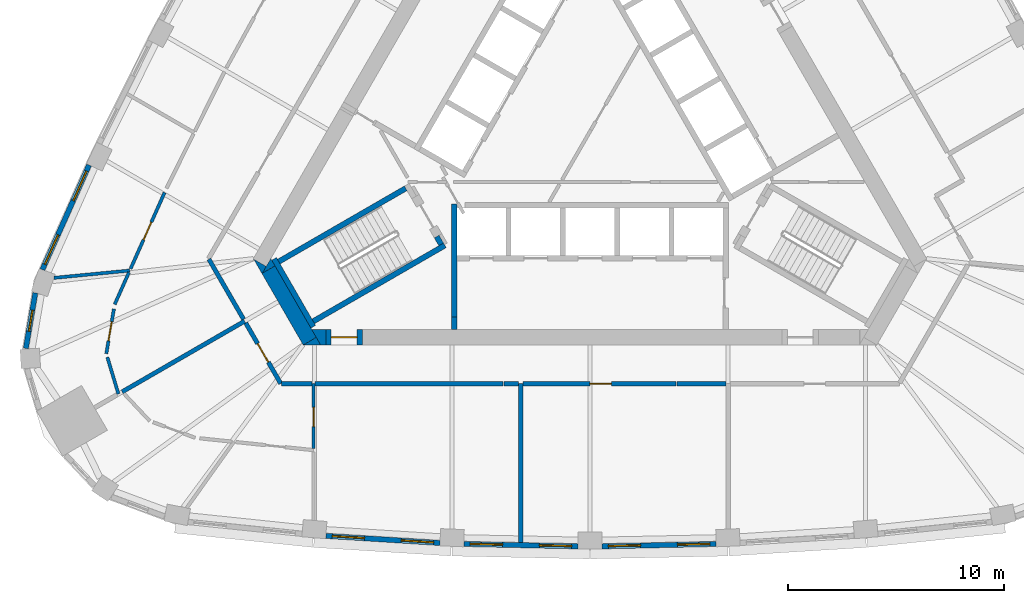
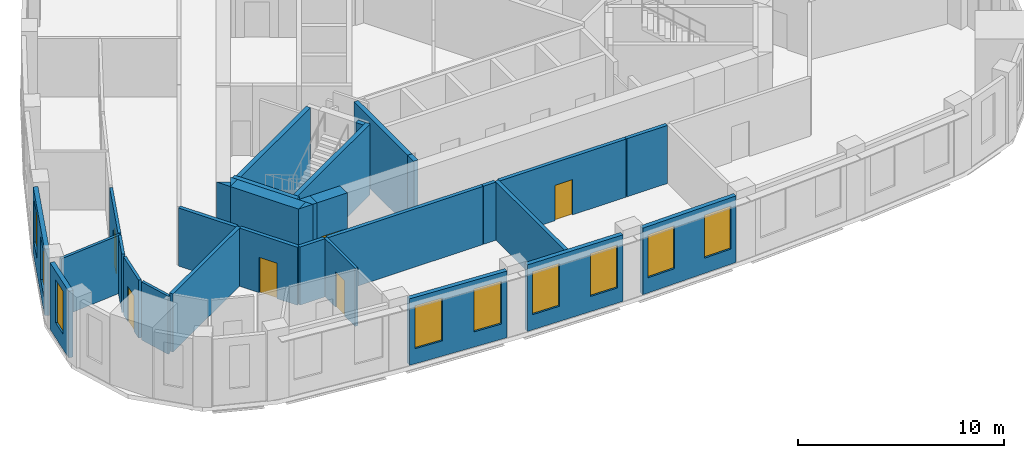
# One storey, part 3 of 10: 32 walls, 9 windows, 6 doors, 15 openings.
"""IFC4 building model written with IfcOpenShell, lengths in metres."""

from ifc_helpers import new_model, si_unit, direction, frame, frame_2d, origin, place, context, subcontext, project, spatial, polyline, rectangle, outline, extrude, material, layer, layer_set, type_object, element, fill, save


model = new_model("IFC4")

# Units and contexts
model_context = context("Model", 3, precision=1e-05, world=origin(), true_north=direction((0.0, 1.0)))
body_context = subcontext(model_context, "Body", "Model", "MODEL_VIEW")
ifc_project = project(units=[si_unit("LENGTHUNIT", "METRE"), si_unit("AREAUNIT", "SQUARE_METRE"), si_unit("VOLUMEUNIT", "CUBIC_METRE"), si_unit("PLANEANGLEUNIT", "RADIAN"), si_unit("MASSUNIT", "GRAM", prefix="KILO")], contexts=[model_context])

# Site, building, storey
site_placement = place(None, origin())
site = spatial("IfcSite", under=ifc_project, at=site_placement, CompositionType="ELEMENT")
building_placement = place(site_placement, origin())
building = spatial("IfcBuilding", under=site, at=building_placement, Name="Mestral Congress Tower", CompositionType="ELEMENT")
storey_placement = place(building_placement, frame((0.0, 0.0, 214.199951171875)))
storey = spatial("IfcBuildingStorey", under=building, at=storey_placement, Name="L50", CompositionType="ELEMENT", Elevation=214.199951171875)

# Walls
ifc_material_1 = material(Name="Concrete C60/75", Category="concrete")
ifc_layer_1 = layer(ifc_material_1, 0.699951171875)
ifc_layer_set_1 = layer_set([ifc_layer_1], Name="Concrete C60/75")
wall_type_1 = type_object("IfcWallType", Name="Core wall RC 700", PredefinedType="SOLIDWALL", material=ifc_layer_set_1)
placement = place(storey_placement, origin())
element("IfcWall", 1, at=placement, inside=storey, type_object=wall_type_1, Name="L50 core wall", PredefinedType="SOLIDWALL", context=body_context, shape_type="SweptSolid", body=[
    extrude(outline(polyline([(-15.213134765625, -7.050048828125), (-15.60107421875, -6.3779296875), (-15.019287109375, -6.714111328125), (-15.213134765625, -7.050048828125)])), origin(), (0.0, 0.0, 1.0), 4.199951171875),
])
wall_2_placement = place(storey_placement, frame((-14.9169921875, -6.86279296875, 0.0), z_axis=(0.0, 0.0, 1.0), x_axis=(0.499972675833, -0.866041178825, 0.0)))
element("IfcWall", 2, at=wall_2_placement, inside=storey, type_object=wall_type_1, Name="L50 core wall", PredefinedType="SOLIDWALL", context=body_context, shape_type="SweptSolid", body=[
    extrude(rectangle(XDim=3.828857421875, YDim=0.699951171875, at=frame_2d((1.91455078125, 0.0))), origin(), (0.0, 0.0, 1.0), 4.199951171875),
])
element("IfcWall", 3, at=placement, inside=storey, type_object=wall_type_1, Name="L50 core wall", PredefinedType="SOLIDWALL", context=body_context, shape_type="SweptSolid", body=[
    extrude(outline(polyline([(-14.80908203125, -6.35009765625), (-14.614990234375, -6.68603515625), (-15.197265625, -7.022216796875), (-14.80908203125, -6.35009765625)])), origin(), (0.0, 0.0, 1.0), 4.199951171875),
])
element("IfcWall", 4, at=placement, inside=storey, type_object=wall_type_1, Name="L50 core wall", PredefinedType="SOLIDWALL", context=body_context, shape_type="SweptSolid", body=[
    extrude(outline(polyline([(-12.49951171875, -10.35009765625), (-13.295654296875, -10.35009765625), (-12.698486328125, -10.00537109375), (-12.49951171875, -10.35009765625)])), origin(), (0.0, 0.0, 1.0), 4.199951171875),
])
element("IfcWall", 5, at=placement, inside=storey, type_object=wall_type_1, Name="L50 core wall", PredefinedType="SOLIDWALL", context=body_context, shape_type="SweptSolid", body=[
    extrude(outline(polyline([(-12.256591796875, -10.35009765625), (-12.49951171875, -10.35009765625), (-12.90380859375, -9.64990234375), (-12.256591796875, -9.64990234375), (-12.256591796875, -10.35009765625)])), origin(), (0.0, 0.0, 1.0), 4.199951171875),
])

# Wall, opening, door
wall_6_placement = place(storey_placement, frame((-10.556396484375, -10.0, 0.0), z_axis=(0.0, 0.0, 1.0), x_axis=(-1.0, 0.0, 0.0)))
wall_6 = element("IfcWall", 6, at=wall_6_placement, inside=storey, type_object=wall_type_1, Name="L50 door wall", PredefinedType="SOLIDWALL", context=body_context, shape_type="SweptSolid", body=[
    extrude(rectangle(XDim=1.699951171875, YDim=0.699951171875, at=frame_2d((0.85009765625, 0.0))), origin(), (0.0, 0.0, 1.0), 4.199951171875),
])
opening_1_placement = place(wall_6_placement, frame((0.25, 0.0, 0.0)))
opening_1 = element("IfcOpeningElement", 7, at=opening_1_placement, cuts=wall_6, Name="Opening XD3", PredefinedType="OPENING", context=body_context, shape_type="SweptSolid", body=[
    extrude(rectangle(XDim=1.199951171875, YDim=2.10009765625, at=frame_2d((0.60009765625, 1.050048828125))), frame((0.0, 0.35986328125, 0.0), z_axis=(0.0, -1.0, 0.0), x_axis=(1.0, 0.0, 0.0)), (0.0, 0.0, 1.0), 0.719970703125),
])
ifc_material_2 = material(Name="Fire-rated steel door set", Category="steel")
door_type_1 = type_object("IfcDoorType", Name="Core door XD 1200x2100", OperationType="SINGLE_SWING_LEFT", PredefinedType="DOOR", material=ifc_material_2)
door_1_placement = place(opening_1_placement, origin())
door_1 = element("IfcDoor", 8, at=door_1_placement, inside=storey, type_object=door_type_1, Name="Door XD3", OperationType="SINGLE_SWING_LEFT", OverallHeight=2.10009765625, OverallWidth=1.199951171875, PredefinedType="DOOR", context=body_context, shape_type="SweptSolid", body=[
    extrude(rectangle(XDim=1.199951171875, YDim=2.10009765625, at=frame_2d((0.60009765625, 1.050048828125))), frame((0.0, 0.02490234375, 0.0), z_axis=(0.0, -1.0, 0.0), x_axis=(1.0, 0.0, 0.0)), (0.0, 0.0, 1.0), 0.050048828125),
])
fill(opening_1, door_1)

# Wall, openings, windows
ifc_material_3 = material(Name="Precast concrete C40/50 with limestone facing", Category="masonry")
ifc_layer_2 = layer(ifc_material_3, 0.239990234375)
ifc_layer_set_2 = layer_set([ifc_layer_2], Name="Precast concrete C40/50 with limestone facing")
wall_type_2 = type_object("IfcWallType", Name="Facade stone wall 240", PredefinedType="SOLIDWALL", material=ifc_layer_set_2)
wall_7_placement = place(storey_placement, frame((-12.253173828125, -19.21337890625, 0.0), z_axis=(0.0, 0.0, 1.0), x_axis=(0.9980633213, -0.062206162685, 0.0)))
wall_7 = element("IfcWall", 9, at=wall_7_placement, inside=storey, type_object=wall_type_2, Name="Facade wall F0-01", PredefinedType="SOLIDWALL", context=body_context, shape_type="SweptSolid", body=[
    extrude(rectangle(XDim=5.29833984375, YDim=0.239990234375, at=frame_2d((2.649169921875, 0.0))), origin(), (0.0, 0.0, 1.0), 3.949951171875),
])
opening_2_placement = place(wall_7_placement, frame((0.29443359375, 0.0, 0.89990234375)))
opening_2 = element("IfcOpeningElement", 10, at=opening_2_placement, cuts=wall_7, Name="Opening W4", PredefinedType="OPENING", context=body_context, shape_type="SweptSolid", body=[
    extrude(rectangle(XDim=1.5, YDim=2.550048828125, at=frame_2d((0.75, 1.27490234375))), frame((0.0, 0.1298828125, 0.0), z_axis=(0.0, -1.0, 0.0), x_axis=(1.0, 0.0, 0.0)), (0.0, 0.0, 1.0), 0.260009765625),
])
opening_3_placement = place(wall_7_placement, frame((3.503662109375, 0.0, 0.89990234375)))
opening_3 = element("IfcOpeningElement", 11, at=opening_3_placement, cuts=wall_7, Name="Opening W4", PredefinedType="OPENING", context=body_context, shape_type="SweptSolid", body=[
    extrude(rectangle(XDim=1.5, YDim=2.550048828125, at=frame_2d((0.75, 1.27490234375))), frame((0.0, 0.1298828125, 0.0), z_axis=(0.0, -1.0, 0.0), x_axis=(1.0, 0.0, 0.0)), (0.0, 0.0, 1.0), 0.260009765625),
])
ifc_material_4 = material(Name="Clear low-emissivity double glazing", Category="glass")
window_type_1 = type_object("IfcWindowType", Name="Facade punched window 1500 x 2550 sill 900", PartitioningType="SINGLE_PANEL", PredefinedType="WINDOW", material=ifc_material_4)
window_1_placement = place(opening_2_placement, origin())
window_1 = element("IfcWindow", 12, at=window_1_placement, inside=storey, type_object=window_type_1, Name="Window F0-01a", OverallHeight=2.550048828125, OverallWidth=1.5, PartitioningType="SINGLE_PANEL", PredefinedType="WINDOW", context=body_context, shape_type="SweptSolid", body=[
    extrude(rectangle(XDim=1.5, YDim=2.550048828125, at=frame_2d((0.75, 1.27490234375))), frame((0.0, 0.0400390625, 0.0), z_axis=(0.0, -1.0, 0.0), x_axis=(1.0, 0.0, 0.0)), (0.0, 0.0, 1.0), 0.06005859375),
])
fill(opening_2, window_1)
window_2_placement = place(opening_3_placement, origin())
window_2 = element("IfcWindow", 13, at=window_2_placement, inside=storey, type_object=window_type_1, Name="Window F0-01b", OverallHeight=2.550048828125, OverallWidth=1.5, PartitioningType="SINGLE_PANEL", PredefinedType="WINDOW", context=body_context, shape_type="SweptSolid", body=[
    extrude(rectangle(XDim=1.5, YDim=2.550048828125, at=frame_2d((0.75, 1.27490234375))), frame((0.0, 0.0400390625, 0.0), z_axis=(0.0, -1.0, 0.0), x_axis=(1.0, 0.0, 0.0)), (0.0, 0.0, 1.0), 0.06005859375),
])
fill(opening_3, window_2)

wall_8_placement = place(storey_placement, frame((-5.853515625, -19.589111328125, 0.0), z_axis=(0.0, 0.0, 1.0), x_axis=(0.999784035184, -0.020781794712, 0.0)))
wall_8 = element("IfcWall", 14, at=wall_8_placement, inside=storey, type_object=wall_type_2, Name="Facade wall F0-02", PredefinedType="SOLIDWALL", context=body_context, shape_type="SweptSolid", body=[
    extrude(rectangle(XDim=5.29833984375, YDim=0.239990234375, at=frame_2d((2.649169921875, 0.0))), origin(), (0.0, 0.0, 1.0), 3.949951171875),
])
opening_4_placement = place(wall_8_placement, frame((0.29443359375, 0.0, 0.89990234375)))
opening_4 = element("IfcOpeningElement", 15, at=opening_4_placement, cuts=wall_8, Name="Opening W4", PredefinedType="OPENING", context=body_context, shape_type="SweptSolid", body=[
    extrude(rectangle(XDim=1.5, YDim=2.550048828125, at=frame_2d((0.75, 1.27490234375))), frame((0.0, 0.1298828125, 0.0), z_axis=(0.0, -1.0, 0.0), x_axis=(1.0, 0.0, 0.0)), (0.0, 0.0, 1.0), 0.260009765625),
])
opening_5_placement = place(wall_8_placement, frame((3.503662109375, 0.0, 0.89990234375)))
opening_5 = element("IfcOpeningElement", 16, at=opening_5_placement, cuts=wall_8, Name="Opening W4", PredefinedType="OPENING", context=body_context, shape_type="SweptSolid", body=[
    extrude(rectangle(XDim=1.5, YDim=2.550048828125, at=frame_2d((0.75, 1.27490234375))), frame((0.0, 0.1298828125, 0.0), z_axis=(0.0, -1.0, 0.0), x_axis=(1.0, 0.0, 0.0)), (0.0, 0.0, 1.0), 0.260009765625),
])
window_3_placement = place(opening_4_placement, origin())
window_3 = element("IfcWindow", 17, at=window_3_placement, inside=storey, type_object=window_type_1, Name="Window F0-02a", OverallHeight=2.550048828125, OverallWidth=1.5, PartitioningType="SINGLE_PANEL", PredefinedType="WINDOW", context=body_context, shape_type="SweptSolid", body=[
    extrude(rectangle(XDim=1.5, YDim=2.550048828125, at=frame_2d((0.75, 1.27490234375))), frame((0.0, 0.0400390625, 0.0), z_axis=(0.0, -1.0, 0.0), x_axis=(1.0, 0.0, 0.0)), (0.0, 0.0, 1.0), 0.06005859375),
])
fill(opening_4, window_3)
window_4_placement = place(opening_5_placement, origin())
window_4 = element("IfcWindow", 18, at=window_4_placement, inside=storey, type_object=window_type_1, Name="Window F0-02b", OverallHeight=2.550048828125, OverallWidth=1.5, PartitioningType="SINGLE_PANEL", PredefinedType="WINDOW", context=body_context, shape_type="SweptSolid", body=[
    extrude(rectangle(XDim=1.5, YDim=2.550048828125, at=frame_2d((0.75, 1.27490234375))), frame((0.0, 0.0400390625, 0.0), z_axis=(0.0, -1.0, 0.0), x_axis=(1.0, 0.0, 0.0)), (0.0, 0.0, 1.0), 0.06005859375),
])
fill(opening_5, window_4)

wall_9_placement = place(storey_placement, frame((0.556396484375, -19.69921875, 0.0), z_axis=(0.0, 0.0, 1.0), x_axis=(0.999784035184, 0.020781794712, 0.0)))
wall_9 = element("IfcWall", 19, at=wall_9_placement, inside=storey, type_object=wall_type_2, Name="Facade wall F0-03", PredefinedType="SOLIDWALL", context=body_context, shape_type="SweptSolid", body=[
    extrude(rectangle(XDim=5.29833984375, YDim=0.239990234375, at=frame_2d((2.649169921875, 0.0))), origin(), (0.0, 0.0, 1.0), 3.949951171875),
])
opening_6_placement = place(wall_9_placement, frame((0.29443359375, 0.0, 0.89990234375)))
opening_6 = element("IfcOpeningElement", 20, at=opening_6_placement, cuts=wall_9, Name="Opening W4", PredefinedType="OPENING", context=body_context, shape_type="SweptSolid", body=[
    extrude(rectangle(XDim=1.5, YDim=2.550048828125, at=frame_2d((0.75, 1.27490234375))), frame((0.0, 0.1298828125, 0.0), z_axis=(0.0, -1.0, 0.0), x_axis=(1.0, 0.0, 0.0)), (0.0, 0.0, 1.0), 0.260009765625),
])
opening_7_placement = place(wall_9_placement, frame((3.503662109375, 0.0, 0.89990234375)))
opening_7 = element("IfcOpeningElement", 21, at=opening_7_placement, cuts=wall_9, Name="Opening W4", PredefinedType="OPENING", context=body_context, shape_type="SweptSolid", body=[
    extrude(rectangle(XDim=1.5, YDim=2.550048828125, at=frame_2d((0.75, 1.27490234375))), frame((0.0, 0.1298828125, 0.0), z_axis=(0.0, -1.0, 0.0), x_axis=(1.0, 0.0, 0.0)), (0.0, 0.0, 1.0), 0.260009765625),
])
window_5_placement = place(opening_6_placement, origin())
window_5 = element("IfcWindow", 22, at=window_5_placement, inside=storey, type_object=window_type_1, Name="Window F0-03a", OverallHeight=2.550048828125, OverallWidth=1.5, PartitioningType="SINGLE_PANEL", PredefinedType="WINDOW", context=body_context, shape_type="SweptSolid", body=[
    extrude(rectangle(XDim=1.5, YDim=2.550048828125, at=frame_2d((0.75, 1.27490234375))), frame((0.0, 0.0400390625, 0.0), z_axis=(0.0, -1.0, 0.0), x_axis=(1.0, 0.0, 0.0)), (0.0, 0.0, 1.0), 0.06005859375),
])
fill(opening_6, window_5)
window_6_placement = place(opening_7_placement, origin())
window_6 = element("IfcWindow", 23, at=window_6_placement, inside=storey, type_object=window_type_1, Name="Window F0-03b", OverallHeight=2.550048828125, OverallWidth=1.5, PartitioningType="SINGLE_PANEL", PredefinedType="WINDOW", context=body_context, shape_type="SweptSolid", body=[
    extrude(rectangle(XDim=1.5, YDim=2.550048828125, at=frame_2d((0.75, 1.27490234375))), frame((0.0, 0.0400390625, 0.0), z_axis=(0.0, -1.0, 0.0), x_axis=(1.0, 0.0, 0.0)), (0.0, 0.0, 1.0), 0.06005859375),
])
fill(opening_7, window_6)

wall_10_placement = place(storey_placement, frame((-23.240478515625, -2.01123046875, 0.0), z_axis=(0.0, 0.0, 1.0), x_axis=(-0.407579651789, -0.913169659728, 0.0)))
wall_10 = element("IfcWall", 24, at=wall_10_placement, inside=storey, type_object=wall_type_2, Name="Facade wall F2-05", PredefinedType="SOLIDWALL", context=body_context, shape_type="SweptSolid", body=[
    extrude(rectangle(XDim=5.310791015625, YDim=0.239990234375, at=frame_2d((2.6552734375, 0.0))), origin(), (0.0, 0.0, 1.0), 3.949951171875),
])
opening_8_placement = place(wall_10_placement, frame((0.306396484375, 0.0, 0.89990234375)))
opening_8 = element("IfcOpeningElement", 25, at=opening_8_placement, cuts=wall_10, Name="Opening W4", PredefinedType="OPENING", context=body_context, shape_type="SweptSolid", body=[
    extrude(rectangle(XDim=1.5, YDim=2.550048828125, at=frame_2d((0.75, 1.27490234375))), frame((0.0, 0.1298828125, 0.0), z_axis=(0.0, -1.0, 0.0), x_axis=(1.0, 0.0, 0.0)), (0.0, 0.0, 1.0), 0.260009765625),
])
opening_9_placement = place(wall_10_placement, frame((3.539306640625, 0.0, 0.89990234375)))
opening_9 = element("IfcOpeningElement", 26, at=opening_9_placement, cuts=wall_10, Name="Opening W4", PredefinedType="OPENING", context=body_context, shape_type="SweptSolid", body=[
    extrude(rectangle(XDim=1.5, YDim=2.550048828125, at=frame_2d((0.75, 1.27490234375))), frame((0.0, 0.1298828125, 0.0), z_axis=(0.0, -1.0, 0.0), x_axis=(1.0, 0.0, 0.0)), (0.0, 0.0, 1.0), 0.260009765625),
])
window_7_placement = place(opening_8_placement, origin())
window_7 = element("IfcWindow", 27, at=window_7_placement, inside=storey, type_object=window_type_1, Name="Window F2-05a", OverallHeight=2.550048828125, OverallWidth=1.5, PartitioningType="SINGLE_PANEL", PredefinedType="WINDOW", context=body_context, shape_type="SweptSolid", body=[
    extrude(rectangle(XDim=1.5, YDim=2.550048828125, at=frame_2d((0.75, 1.27490234375))), frame((0.0, 0.0400390625, 0.0), z_axis=(0.0, -1.0, 0.0), x_axis=(1.0, 0.0, 0.0)), (0.0, 0.0, 1.0), 0.06005859375),
])
fill(opening_8, window_7)
window_8_placement = place(opening_9_placement, origin())
window_8 = element("IfcWindow", 28, at=window_8_placement, inside=storey, type_object=window_type_1, Name="Window F2-05b", OverallHeight=2.550048828125, OverallWidth=1.5, PartitioningType="SINGLE_PANEL", PredefinedType="WINDOW", context=body_context, shape_type="SweptSolid", body=[
    extrude(rectangle(XDim=1.5, YDim=2.550048828125, at=frame_2d((0.75, 1.27490234375))), frame((0.0, 0.0400390625, 0.0), z_axis=(0.0, -1.0, 0.0), x_axis=(1.0, 0.0, 0.0)), (0.0, 0.0, 1.0), 0.06005859375),
])
fill(opening_9, window_8)

# Wall, opening, window
wall_11_placement = place(storey_placement, frame((-25.734130859375, -7.94482421875, 0.0), z_axis=(0.0, 0.0, 1.0), x_axis=(-0.167660055546, -0.985844869021, 0.0)))
wall_11 = element("IfcWall", 29, at=wall_11_placement, inside=storey, type_object=wall_type_2, Name="Facade wall K2-0", PredefinedType="SOLIDWALL", context=body_context, shape_type="SweptSolid", body=[
    extrude(rectangle(XDim=2.609375, YDim=0.239990234375, at=frame_2d((1.3046875, 0.0))), origin(), (0.0, 0.0, 1.0), 3.949951171875),
])
opening_10_placement = place(wall_11_placement, frame((0.8046875, 0.0, 0.89990234375)))
opening_10 = element("IfcOpeningElement", 30, at=opening_10_placement, cuts=wall_11, Name="Opening W5", PredefinedType="OPENING", context=body_context, shape_type="SweptSolid", body=[
    extrude(rectangle(XDim=1.0, YDim=2.550048828125, at=frame_2d((0.5, 1.27490234375))), frame((0.0, 0.1298828125, 0.0), z_axis=(0.0, -1.0, 0.0), x_axis=(1.0, 0.0, 0.0)), (0.0, 0.0, 1.0), 0.260009765625),
])
window_type_2 = type_object("IfcWindowType", Name="Facade punched window 1000 x 2550 sill 900", PartitioningType="SINGLE_PANEL", PredefinedType="WINDOW", material=ifc_material_4)
window_9_placement = place(opening_10_placement, origin())
window_9 = element("IfcWindow", 31, at=window_9_placement, inside=storey, type_object=window_type_2, Name="Window K2-0", OverallHeight=2.550048828125, OverallWidth=1.0, PartitioningType="SINGLE_PANEL", PredefinedType="WINDOW", context=body_context, shape_type="SweptSolid", body=[
    extrude(rectangle(XDim=1.0, YDim=2.550048828125, at=frame_2d((0.5, 1.27490234375))), frame((0.0, 0.0400390625, 0.0), z_axis=(0.0, -1.0, 0.0), x_axis=(1.0, 0.0, 0.0)), (0.0, 0.0, 1.0), 0.06005859375),
])
fill(opening_10, window_9)

# Wall
ifc_material_5 = material(Name="Plasterboard partition on steel studs", Category="steel")
ifc_layer_3 = layer(ifc_material_5, 0.14990234375)
ifc_layer_set_3 = layer_set([ifc_layer_3], Name="Plasterboard partition on steel studs")
wall_type_3 = type_object("IfcWallType", Name="Office partition 150", PredefinedType="PARTITIONING", material=ifc_layer_set_3)
wall_12_placement = place(storey_placement, frame((-21.350830078125, -6.904296875, 0.0), z_axis=(0.0, 0.0, 1.0), x_axis=(-0.995356631468, -0.096255785242, 0.0)))
element("IfcWall", 32, at=wall_12_placement, inside=storey, type_object=wall_type_3, Name="Partition", PredefinedType="PARTITIONING", context=body_context, shape_type="SweptSolid", body=[
    extrude(rectangle(XDim=3.53564453125, YDim=0.14990234375, at=frame_2d((1.767822265625, 0.0))), origin(), (0.0, 0.0, 1.0), 3.449951171875),
])

# Wall, opening, door
wall_13_placement = place(storey_placement, frame((-21.315673828125, -6.82568359375, 0.0), z_axis=(0.0, 0.0, 1.0), x_axis=(0.407639588163, 0.913142905663, 0.0)))
wall_13 = element("IfcWall", 33, at=wall_13_placement, inside=storey, type_object=wall_type_3, Name="Partition", PredefinedType="PARTITIONING", context=body_context, shape_type="SweptSolid", body=[
    extrude(rectangle(XDim=3.876708984375, YDim=0.14990234375, at=frame_2d((1.9384765625, 0.0))), origin(), (0.0, 0.0, 1.0), 3.449951171875),
])
opening_11_placement = place(wall_13_placement, frame((1.4765625, 0.0, 0.0)))
opening_11 = element("IfcOpeningElement", 34, at=opening_11_placement, cuts=wall_13, Name="Opening O07-014", PredefinedType="OPENING", context=body_context, shape_type="SweptSolid", body=[
    extrude(rectangle(XDim=0.89990234375, YDim=2.10009765625, at=frame_2d((0.449951171875, 1.050048828125))), frame((0.0, 0.0849609375, 0.0), z_axis=(0.0, -1.0, 0.0), x_axis=(1.0, 0.0, 0.0)), (0.0, 0.0, 1.0), 0.169921875),
])
ifc_material_6 = material(Name="Timber door set", Category="wood")
door_type_2 = type_object("IfcDoorType", Name="Office door 900x2100", OperationType="SINGLE_SWING_LEFT", PredefinedType="DOOR", material=ifc_material_6)
door_2_placement = place(opening_11_placement, origin())
door_2 = element("IfcDoor", 35, at=door_2_placement, inside=storey, type_object=door_type_2, Name="Door O07-014", OperationType="SINGLE_SWING_LEFT", OverallHeight=2.10009765625, OverallWidth=0.89990234375, PredefinedType="DOOR", context=body_context, shape_type="SweptSolid", body=[
    extrude(rectangle(XDim=0.89990234375, YDim=2.10009765625, at=frame_2d((0.449951171875, 1.050048828125))), frame((0.0, 0.02490234375, 0.0), z_axis=(0.0, -1.0, 0.0), x_axis=(1.0, 0.0, 0.0)), (0.0, 0.0, 1.0), 0.050048828125),
])
fill(opening_11, door_2)

# Wall
wall_14_placement = place(storey_placement, frame((-21.385986328125, -6.983154296875, 0.0), z_axis=(0.0, 0.0, 1.0), x_axis=(-0.407597309494, -0.91316177827, 0.0)))
element("IfcWall", 36, at=wall_14_placement, inside=storey, type_object=wall_type_3, Name="Partition", PredefinedType="PARTITIONING", context=body_context, shape_type="SweptSolid", body=[
    extrude(rectangle(XDim=1.6298828125, YDim=0.14990234375, at=frame_2d((0.81494140625, 0.0))), origin(), (0.0, 0.0, 1.0), 3.449951171875),
])

# Wall, opening, door
wall_15_placement = place(storey_placement, frame((-22.43994140625, -10.7626953125, 0.0), z_axis=(0.0, 0.0, 1.0), x_axis=(0.167682096872, 0.985841120257, 0.0)))
wall_15 = element("IfcWall", 37, at=wall_15_placement, inside=storey, type_object=wall_type_3, Name="Partition", PredefinedType="PARTITIONING", context=body_context, shape_type="SweptSolid", body=[
    extrude(rectangle(XDim=2.109619140625, YDim=0.14990234375, at=frame_2d((1.0546875, 0.0))), origin(), (0.0, 0.0, 1.0), 3.449951171875),
])
opening_12_placement = place(wall_15_placement, frame((0.609619140625, 0.0, 0.0)))
opening_12 = element("IfcOpeningElement", 38, at=opening_12_placement, cuts=wall_15, Name="Opening O07-015", PredefinedType="OPENING", context=body_context, shape_type="SweptSolid", body=[
    extrude(rectangle(XDim=0.89990234375, YDim=2.10009765625, at=frame_2d((0.449951171875, 1.050048828125))), frame((0.0, 0.0849609375, 0.0), z_axis=(0.0, -1.0, 0.0), x_axis=(1.0, 0.0, 0.0)), (0.0, 0.0, 1.0), 0.169921875),
])
door_3_placement = place(opening_12_placement, origin())
door_3 = element("IfcDoor", 39, at=door_3_placement, inside=storey, type_object=door_type_2, Name="Door O07-015", OperationType="SINGLE_SWING_RIGHT", OverallHeight=2.10009765625, OverallWidth=0.89990234375, PredefinedType="DOOR", context=body_context, shape_type="SweptSolid", body=[
    extrude(rectangle(XDim=0.89990234375, YDim=2.10009765625, at=frame_2d((0.449951171875, 1.050048828125))), frame((0.0, 0.02490234375, 0.0), z_axis=(0.0, -1.0, 0.0), x_axis=(1.0, 0.0, 0.0)), (0.0, 0.0, 1.0), 0.050048828125),
])
fill(opening_12, door_3)

# Wall
wall_16_placement = place(storey_placement, frame((-22.39111328125, -10.924072265625, 0.0), z_axis=(0.0, 0.0, 1.0), x_axis=(0.288642134652, -0.957437056993, 0.0)))
element("IfcWall", 40, at=wall_16_placement, inside=storey, type_object=wall_type_3, Name="Partition", PredefinedType="PARTITIONING", context=body_context, shape_type="SweptSolid", body=[
    extrude(rectangle(XDim=1.7822265625, YDim=0.14990234375, at=frame_2d((0.89111328125, 0.0))), origin(), (0.0, 0.0, 1.0), 3.449951171875),
])

# Wall, opening, door
wall_17_placement = place(storey_placement, frame((-12.822509765625, -12.14990234375, 0.0), z_axis=(0.0, 0.0, 1.0), x_axis=(0.0, -1.0, 0.0)))
wall_17 = element("IfcWall", 41, at=wall_17_placement, inside=storey, type_object=wall_type_3, Name="Partition", PredefinedType="PARTITIONING", context=body_context, shape_type="SweptSolid", body=[
    extrude(rectangle(XDim=3.0107421875, YDim=0.14990234375, at=frame_2d((1.50537109375, 0.0))), origin(), (0.0, 0.0, 1.0), 3.449951171875),
])
opening_13_placement = place(wall_17_placement, frame((1.10009765625, 0.0, 0.0)))
opening_13 = element("IfcOpeningElement", 42, at=opening_13_placement, cuts=wall_17, Name="Opening O07-020", PredefinedType="OPENING", context=body_context, shape_type="SweptSolid", body=[
    extrude(rectangle(XDim=0.89990234375, YDim=2.10009765625, at=frame_2d((0.449951171875, 1.050048828125))), frame((0.0, 0.0849609375, 0.0), z_axis=(0.0, -1.0, 0.0), x_axis=(1.0, 0.0, 0.0)), (0.0, 0.0, 1.0), 0.169921875),
])
door_4_placement = place(opening_13_placement, origin())
door_4 = element("IfcDoor", 43, at=door_4_placement, inside=storey, type_object=door_type_2, Name="Door O07-020", OperationType="SINGLE_SWING_RIGHT", OverallHeight=2.10009765625, OverallWidth=0.89990234375, PredefinedType="DOOR", context=body_context, shape_type="SweptSolid", body=[
    extrude(rectangle(XDim=0.89990234375, YDim=2.10009765625, at=frame_2d((0.449951171875, 1.050048828125))), frame((0.0, 0.02490234375, 0.0), z_axis=(0.0, -1.0, 0.0), x_axis=(1.0, 0.0, 0.0)), (0.0, 0.0, 1.0), 0.050048828125),
])
fill(opening_13, door_4)

# Wall
ifc_material_7 = material(Name="Dense masonry wall, plastered", Category="masonry")
ifc_layer_4 = layer(ifc_material_7, 0.199951171875)
ifc_layer_set_4 = layer_set([ifc_layer_4], Name="Dense masonry wall, plastered")
wall_type_4 = type_object("IfcWallType", Name="Office tenancy wall 200", PredefinedType="PARTITIONING", material=ifc_layer_set_4)
wall_18_placement = place(storey_placement, frame((-3.20849609375, -19.524169921875, 0.0), z_axis=(0.0, 0.0, 1.0), x_axis=(0.0, 1.0, 0.0)))
element("IfcWall", 44, at=wall_18_placement, inside=storey, type_object=wall_type_4, Name="Tenancy wall", PredefinedType="PARTITIONING", context=body_context, shape_type="SweptSolid", body=[
    extrude(rectangle(XDim=7.374267578125, YDim=0.199951171875, at=frame_2d((3.68701171875, 0.0))), origin(), (0.0, 0.0, 1.0), 3.449951171875),
])

# Wall, opening, door
wall_19_placement = place(storey_placement, frame((-3.1083984375, -12.14990234375, 0.0), z_axis=(0.0, 0.0, 1.0), x_axis=(1.0, 0.0, 0.0)))
wall_19 = element("IfcWall", 45, at=wall_19_placement, inside=storey, type_object=wall_type_4, Name="Tenancy wall", PredefinedType="PARTITIONING", context=body_context, shape_type="SweptSolid", body=[
    extrude(rectangle(XDim=7.1083984375, YDim=0.199951171875, at=frame_2d((3.55419921875, 0.0))), origin(), (0.0, 0.0, 1.0), 3.449951171875),
])
opening_14_placement = place(wall_19_placement, frame((3.10009765625, 0.0, 0.0)))
opening_14 = element("IfcOpeningElement", 46, at=opening_14_placement, cuts=wall_19, Name="Opening O07-001", PredefinedType="OPENING", context=body_context, shape_type="SweptSolid", body=[
    extrude(rectangle(XDim=1.0, YDim=2.10009765625, at=frame_2d((0.5, 1.050048828125))), frame((0.0, 0.10986328125, 0.0), z_axis=(0.0, -1.0, 0.0), x_axis=(1.0, 0.0, 0.0)), (0.0, 0.0, 1.0), 0.219970703125),
])
ifc_material_8 = material(Name="Fire-rated timber door set", Category="wood")
door_type_3 = type_object("IfcDoorType", Name="Office tenancy entrance door 1000x2100", OperationType="SINGLE_SWING_LEFT", PredefinedType="DOOR", material=ifc_material_8)
door_5_placement = place(opening_14_placement, origin())
door_5 = element("IfcDoor", 47, at=door_5_placement, inside=storey, type_object=door_type_3, Name="Door O07-001", OperationType="SINGLE_SWING_RIGHT", OverallHeight=2.10009765625, OverallWidth=1.0, PredefinedType="DOOR", context=body_context, shape_type="SweptSolid", body=[
    extrude(rectangle(XDim=1.0, YDim=2.10009765625, at=frame_2d((0.5, 1.050048828125))), frame((0.0, 0.02490234375, 0.0), z_axis=(0.0, -1.0, 0.0), x_axis=(1.0, 0.0, 0.0)), (0.0, 0.0, 1.0), 0.050048828125),
])
fill(opening_14, door_5)

# Walls
wall_20_placement = place(storey_placement, frame((4.030029296875, -12.14990234375, 0.0), z_axis=(0.0, 0.0, 1.0), x_axis=(1.0, 0.0, 0.0)))
element("IfcWall", 48, at=wall_20_placement, inside=storey, type_object=wall_type_4, Name="Tenancy wall", PredefinedType="PARTITIONING", context=body_context, shape_type="SweptSolid", body=[
    extrude(rectangle(XDim=2.286865234375, YDim=0.199951171875, at=frame_2d((1.1435546875, 0.0))), origin(), (0.0, 0.0, 1.0), 3.449951171875),
])
wall_21_placement = place(storey_placement, frame((-16.021484375, -9.25, 0.0), z_axis=(0.0, 0.0, 1.0), x_axis=(-0.866021955858, -0.500005971936, 0.0)))
element("IfcWall", 49, at=wall_21_placement, inside=storey, type_object=wall_type_4, Name="Tenancy wall", PredefinedType="PARTITIONING", context=body_context, shape_type="SweptSolid", body=[
    extrude(rectangle(XDim=6.5595703125, YDim=0.199951171875, at=frame_2d((3.27978515625, 0.0))), origin(), (0.0, 0.0, 1.0), 3.449951171875),
])
wall_22_placement = place(storey_placement, frame((-17.680908203125, -6.3759765625, 0.0), z_axis=(0.0, 0.0, 1.0), x_axis=(0.500022299258, -0.866012528919, 0.0)))
element("IfcWall", 50, at=wall_22_placement, inside=storey, type_object=wall_type_4, Name="Tenancy wall", PredefinedType="PARTITIONING", context=body_context, shape_type="SweptSolid", body=[
    extrude(rectangle(XDim=3.218505859375, YDim=0.199951171875, at=frame_2d((1.609375, 0.0))), origin(), (0.0, 0.0, 1.0), 3.449951171875),
])

# Wall, opening, door
wall_23_placement = place(storey_placement, frame((-15.971435546875, -9.336669921875, 0.0), z_axis=(0.0, 0.0, 1.0), x_axis=(0.500010870188, -0.866019127788, 0.0)))
wall_23 = element("IfcWall", 51, at=wall_23_placement, inside=storey, type_object=wall_type_4, Name="Tenancy wall", PredefinedType="PARTITIONING", context=body_context, shape_type="SweptSolid", body=[
    extrude(rectangle(XDim=3.24853515625, YDim=0.199951171875, at=frame_2d((1.624267578125, 0.0))), origin(), (0.0, 0.0, 1.0), 3.449951171875),
])
opening_15_placement = place(wall_23_placement, frame((1.10009765625, 0.0, 0.0)))
opening_15 = element("IfcOpeningElement", 52, at=opening_15_placement, cuts=wall_23, Name="Opening O07-019", PredefinedType="OPENING", context=body_context, shape_type="SweptSolid", body=[
    extrude(rectangle(XDim=1.0, YDim=2.10009765625, at=frame_2d((0.5, 1.050048828125))), frame((0.0, 0.10986328125, 0.0), z_axis=(0.0, -1.0, 0.0), x_axis=(1.0, 0.0, 0.0)), (0.0, 0.0, 1.0), 0.219970703125),
])
door_6_placement = place(opening_15_placement, origin())
door_6 = element("IfcDoor", 53, at=door_6_placement, inside=storey, type_object=door_type_3, Name="Door O07-019", OperationType="SINGLE_SWING_LEFT", OverallHeight=2.10009765625, OverallWidth=1.0, PredefinedType="DOOR", context=body_context, shape_type="SweptSolid", body=[
    extrude(rectangle(XDim=1.0, YDim=2.10009765625, at=frame_2d((0.5, 1.050048828125))), frame((0.0, 0.02490234375, 0.0), z_axis=(0.0, -1.0, 0.0), x_axis=(1.0, 0.0, 0.0)), (0.0, 0.0, 1.0), 0.050048828125),
])
fill(opening_15, door_6)

# Walls
wall_24_placement = place(storey_placement, frame((-14.317138671875, -12.14990234375, 0.0), z_axis=(0.0, 0.0, 1.0), x_axis=(1.0, 0.0, 0.0)))
element("IfcWall", 54, at=wall_24_placement, inside=storey, type_object=wall_type_4, Name="Tenancy wall", PredefinedType="PARTITIONING", context=body_context, shape_type="SweptSolid", body=[
    extrude(rectangle(XDim=1.41943359375, YDim=0.199951171875, at=frame_2d((0.709716796875, 0.0))), origin(), (0.0, 0.0, 1.0), 3.449951171875),
])
wall_25_placement = place(storey_placement, frame((-4.0, -12.14990234375, 0.0), z_axis=(0.0, 0.0, 1.0), x_axis=(1.0, 0.0, 0.0)))
element("IfcWall", 55, at=wall_25_placement, inside=storey, type_object=wall_type_4, Name="Tenancy wall", PredefinedType="PARTITIONING", context=body_context, shape_type="SweptSolid", body=[
    extrude(rectangle(XDim=0.691650390625, YDim=0.199951171875, at=frame_2d((0.345703125, 0.0))), origin(), (0.0, 0.0, 1.0), 3.449951171875),
])
wall_26_placement = place(storey_placement, frame((-12.74755859375, -12.14990234375, 0.0), z_axis=(0.0, 0.0, 1.0), x_axis=(1.0, 0.0, 0.0)))
element("IfcWall", 56, at=wall_26_placement, inside=storey, type_object=wall_type_4, Name="Tenancy wall", PredefinedType="PARTITIONING", context=body_context, shape_type="SweptSolid", body=[
    extrude(rectangle(XDim=8.717529296875, YDim=0.199951171875, at=frame_2d((4.35888671875, 0.0))), origin(), (0.0, 0.0, 1.0), 3.449951171875),
])
ifc_layer_5 = layer(ifc_material_1, 0.25)
ifc_layer_set_5 = layer_set([ifc_layer_5], Name="Concrete C60/75")
wall_type_5 = type_object("IfcWallType", Name="Shaft wall RC 250", PredefinedType="SOLIDWALL", material=ifc_layer_set_5)
wall_27_placement = place(storey_placement, frame((-6.300048828125, -9.050048828125, 0.0), z_axis=(0.0, 0.0, 1.0), x_axis=(0.0, 1.0, 0.0)))
element("IfcWall", 57, at=wall_27_placement, inside=storey, type_object=wall_type_5, Name="L50 core wall", PredefinedType="SOLIDWALL", context=body_context, shape_type="SweptSolid", body=[
    extrude(rectangle(XDim=5.22998046875, YDim=0.25, at=frame_2d((2.614990234375, 0.0))), origin(), (0.0, 0.0, 1.0), 4.199951171875),
])
wall_28_placement = place(storey_placement, frame((-6.300048828125, -9.052001953125, 0.0), z_axis=(0.0, 0.0, 1.0), x_axis=(0.0, -1.0, 0.0)))
element("IfcWall", 58, at=wall_28_placement, inside=storey, type_object=wall_type_5, Name="L50 core wall", PredefinedType="SOLIDWALL", context=body_context, shape_type="SweptSolid", body=[
    extrude(rectangle(XDim=0.597900390625, YDim=0.25, at=frame_2d((0.298828125, 0.0))), origin(), (0.0, 0.0, 1.0), 4.199951171875),
])
ifc_layer_6 = layer(ifc_material_1, 0.25)
ifc_layer_set_6 = layer_set([ifc_layer_6], Name="Concrete C60/75")
wall_type_6 = type_object("IfcWallType", Name="Stair wall RC 250", PredefinedType="SOLIDWALL", material=ifc_layer_set_6)
wall_29_placement = place(storey_placement, frame((-12.839599609375, -9.510986328125, 0.0), z_axis=(0.0, 0.0, 1.0), x_axis=(-0.500048121057, 0.865997619297, 0.0)))
element("IfcWall", 59, at=wall_29_placement, inside=storey, type_object=wall_type_6, Name="L50 core wall", PredefinedType="SOLIDWALL", context=body_context, shape_type="SweptSolid", body=[
    extrude(rectangle(XDim=3.634033203125, YDim=0.25, at=frame_2d((1.81689453125, 0.0))), origin(), (0.0, 0.0, 1.0), 4.199951171875),
])
wall_30_placement = place(storey_placement, frame((-14.43994140625, -6.489501953125, 0.0), z_axis=(0.0, 0.0, 1.0), x_axis=(0.866022966069, 0.500004222222, 0.0)))
element("IfcWall", 60, at=wall_30_placement, inside=storey, type_object=wall_type_6, Name="L50 core wall", PredefinedType="SOLIDWALL", context=body_context, shape_type="SweptSolid", body=[
    extrude(rectangle(XDim=6.80029296875, YDim=0.25, at=frame_2d((3.400146484375, 0.0))), origin(), (0.0, 0.0, 1.0), 4.199951171875),
])
wall_31_placement = place(storey_placement, frame((-12.83984375, -9.2607421875, 0.0), z_axis=(0.0, 0.0, 1.0), x_axis=(0.866016039709, 0.500016218704, 0.0)))
element("IfcWall", 61, at=wall_31_placement, inside=storey, type_object=wall_type_6, Name="L50 core wall", PredefinedType="SOLIDWALL", context=body_context, shape_type="SweptSolid", body=[
    extrude(rectangle(XDim=7.050048828125, YDim=0.25, at=frame_2d((3.52490234375, 0.0))), origin(), (0.0, 0.0, 1.0), 4.199951171875),
])
wall_32_placement = place(storey_placement, frame((-6.905029296875, -5.68994140625, 0.0), z_axis=(0.0, 0.0, 1.0), x_axis=(-0.499993700073, 0.866029041019, 0.0)))
element("IfcWall", 62, at=wall_32_placement, inside=storey, type_object=wall_type_6, Name="L50 core wall", PredefinedType="SOLIDWALL", context=body_context, shape_type="SweptSolid", body=[
    extrude(rectangle(XDim=0.41552734375, YDim=0.25, at=frame_2d((0.207763671875, 0.0))), origin(), (0.0, 0.0, 1.0), 4.199951171875),
])

save(model, "model.ifc")
